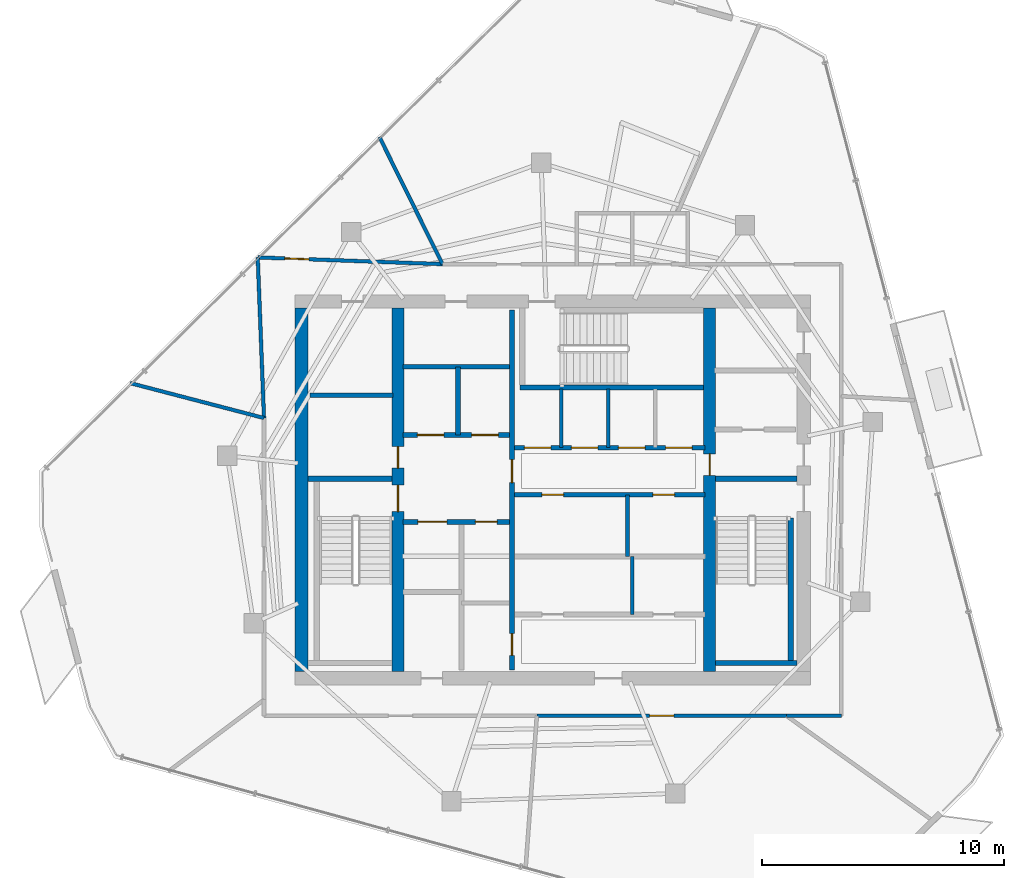
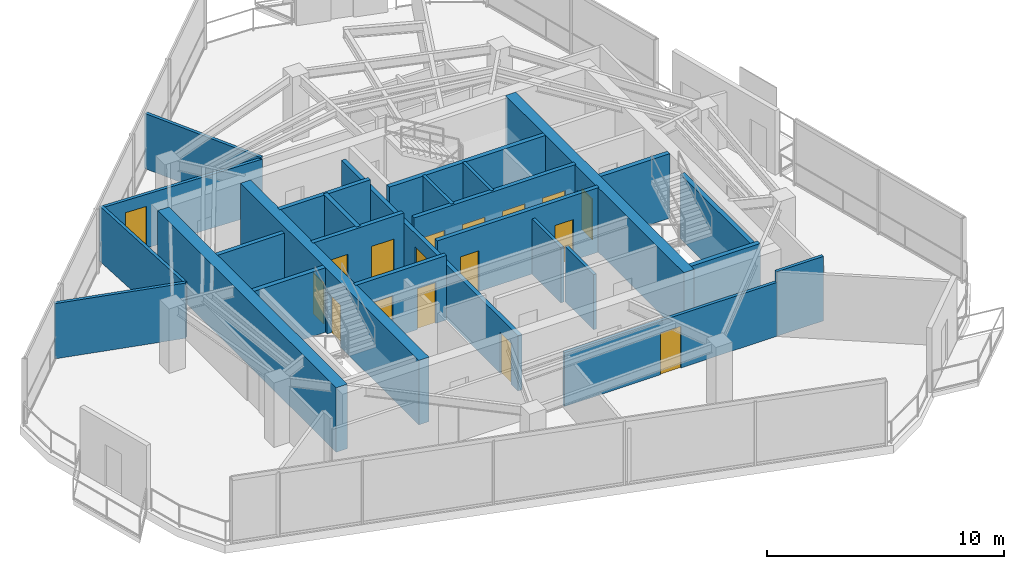
# One storey, part 15 of 19: 26 walls, 17 doors, 17 openings.
"""IFC4 building model written with IfcOpenShell, lengths in metres."""

from ifc_helpers import new_model, si_unit, direction, frame, frame_2d, origin, place, context, subcontext, project, spatial, rectangle, extrude, material, layer, layer_set, type_object, element, fill, save


model = new_model("IFC4")

# Units and contexts
model_context = context("Model", 3, precision=1e-05, world=origin(), true_north=direction((0.0, 1.0)))
body_context = subcontext(model_context, "Body", "Model", "MODEL_VIEW")
ifc_project = project(units=[si_unit("LENGTHUNIT", "METRE"), si_unit("AREAUNIT", "SQUARE_METRE"), si_unit("VOLUMEUNIT", "CUBIC_METRE"), si_unit("PLANEANGLEUNIT", "RADIAN"), si_unit("MASSUNIT", "GRAM", prefix="KILO")], contexts=[model_context])

# Site, building, storey
site_placement = place(None, origin())
site = spatial("IfcSite", under=ifc_project, at=site_placement, CompositionType="ELEMENT")
building_placement = place(site_placement, origin())
building = spatial("IfcBuilding", under=site, at=building_placement, Name="Qarnah Convention Tower", CompositionType="ELEMENT")
storey_placement = place(building_placement, frame((0.0, 0.0, 235.5)))
storey = spatial("IfcBuildingStorey", under=building, at=storey_placement, Name="L63", CompositionType="ELEMENT", Elevation=235.5)

# Wall
ifc_material_1 = material(Name="Concrete C60/75", Category="concrete")
ifc_layer_1 = layer(ifc_material_1, 0.550048828125)
ifc_layer_set_1 = layer_set([ifc_layer_1], Name="Concrete C60/75")
wall_type_1 = type_object("IfcWallType", Name="WL-CORE-550", PredefinedType="SHEAR", material=ifc_layer_set_1)
wall_1_placement = place(storey_placement, frame((26.800048828125, 18.875, 0.0), z_axis=(0.0, 0.0, 1.0), x_axis=(0.0, 1.0, 0.0)))
element("IfcWall", 1, at=wall_1_placement, inside=storey, type_object=wall_type_1, Name="L63 core west shear wall", PredefinedType="SHEAR", context=body_context, shape_type="SweptSolid", body=[
    extrude(rectangle(XDim=15.050048828125, YDim=0.550048828125, at=frame_2d((7.52490234375, 0.0))), origin(), (0.0, 0.0, 1.0), 3.320068359375),
])

# Wall, openings, doors
ifc_layer_2 = layer(ifc_material_1, 0.5)
ifc_layer_set_2 = layer_set([ifc_layer_2], Name="Concrete C60/75")
wall_type_2 = type_object("IfcWallType", Name="WL-CORE-INT-400", PredefinedType="SHEAR", material=ifc_layer_set_2)
wall_2_placement = place(storey_placement, frame((30.800048828125, 18.875, 0.0), z_axis=(0.0, 0.0, 1.0), x_axis=(0.0, 1.0, 0.0)))
wall_2 = element("IfcWall", 2, at=wall_2_placement, inside=storey, type_object=wall_type_2, Name="L63 core west spine shear wall", PredefinedType="SHEAR", context=body_context, shape_type="SweptSolid", body=[
    extrude(rectangle(XDim=15.050048828125, YDim=0.5, at=frame_2d((7.52490234375, 0.0))), origin(), (0.0, 0.0, 1.0), 3.320068359375),
])
opening_1_placement = place(wall_2_placement, frame((6.625, 0.0, 0.0)))
opening_1 = element("IfcOpeningElement", 3, at=opening_1_placement, cuts=wall_2, Name="Opening D-6301", PredefinedType="OPENING", context=body_context, shape_type="SweptSolid", body=[
    extrude(rectangle(XDim=1.10009765625, YDim=2.14990234375, at=frame_2d((0.550048828125, 1.074951171875))), frame((0.0, 0.260009765625, 0.0), z_axis=(0.0, -1.0, 0.0), x_axis=(1.0, 0.0, 0.0)), (0.0, 0.0, 1.0), 0.52001953125),
])
opening_2_placement = place(wall_2_placement, frame((8.425048828125, 0.0, 0.0)))
opening_2 = element("IfcOpeningElement", 4, at=opening_2_placement, cuts=wall_2, Name="Opening D-6308", PredefinedType="OPENING", context=body_context, shape_type="SweptSolid", body=[
    extrude(rectangle(XDim=0.89990234375, YDim=2.10009765625, at=frame_2d((0.449951171875, 1.050048828125))), frame((0.0, 0.260009765625, 0.0), z_axis=(0.0, -1.0, 0.0), x_axis=(1.0, 0.0, 0.0)), (0.0, 0.0, 1.0), 0.52001953125),
])
ifc_material_2 = material(Name="Structural steel S355JR", Category="steel")
door_type_1 = type_object("IfcDoorType", Name="DT-RISER-900", OperationType="NOTDEFINED", PredefinedType="DOOR", material=ifc_material_2)
door_1_placement = place(opening_2_placement, origin())
door_1 = element("IfcDoor", 5, at=door_1_placement, inside=storey, type_object=door_type_1, Name="Door D-6308", OperationType="SINGLE_SWING_LEFT", OverallHeight=2.10009765625, OverallWidth=0.89990234375, PredefinedType="DOOR", context=body_context, shape_type="SweptSolid", body=[
    extrude(rectangle(XDim=0.89990234375, YDim=2.10009765625, at=frame_2d((0.449951171875, 1.050048828125))), frame((0.0, 0.02490234375, 0.0), z_axis=(0.0, -1.0, 0.0), x_axis=(1.0, 0.0, 0.0)), (0.0, 0.0, 1.0), 0.050048828125),
])
fill(opening_2, door_1)
door_type_2 = type_object("IfcDoorType", Name="DT-STAIR-1100", OperationType="NOTDEFINED", PredefinedType="DOOR", material=ifc_material_2)
door_2_placement = place(opening_1_placement, origin())
door_2 = element("IfcDoor", 6, at=door_2_placement, inside=storey, type_object=door_type_2, Name="Door D-6301", OperationType="SINGLE_SWING_RIGHT", OverallHeight=2.14990234375, OverallWidth=1.10009765625, PredefinedType="DOOR", context=body_context, shape_type="SweptSolid", body=[
    extrude(rectangle(XDim=1.10009765625, YDim=2.14990234375, at=frame_2d((0.550048828125, 1.074951171875))), frame((0.0, 0.02490234375, 0.0), z_axis=(0.0, -1.0, 0.0), x_axis=(1.0, 0.0, 0.0)), (0.0, 0.0, 1.0), 0.050048828125),
])
fill(opening_1, door_2)

# Wall, opening, door
wall_3_placement = place(storey_placement, frame((43.699951171875, 18.875, 0.0), z_axis=(0.0, 0.0, 1.0), x_axis=(0.0, 1.0, 0.0)))
wall_3 = element("IfcWall", 7, at=wall_3_placement, inside=storey, type_object=wall_type_2, Name="L63 core east spine shear wall", PredefinedType="SHEAR", context=body_context, shape_type="SweptSolid", body=[
    extrude(rectangle(XDim=15.050048828125, YDim=0.5, at=frame_2d((7.52490234375, 0.0))), origin(), (0.0, 0.0, 1.0), 3.320068359375),
])
opening_3_placement = place(wall_3_placement, frame((8.125, 0.0, 0.0)))
opening_3 = element("IfcOpeningElement", 8, at=opening_3_placement, cuts=wall_3, Name="Opening D-6305", PredefinedType="OPENING", context=body_context, shape_type="SweptSolid", body=[
    extrude(rectangle(XDim=0.89990234375, YDim=2.10009765625, at=frame_2d((0.449951171875, 1.050048828125))), frame((0.0, 0.260009765625, 0.0), z_axis=(0.0, -1.0, 0.0), x_axis=(1.0, 0.0, 0.0)), (0.0, 0.0, 1.0), 0.52001953125),
])
door_3_placement = place(opening_3_placement, origin())
door_3 = element("IfcDoor", 9, at=door_3_placement, inside=storey, type_object=door_type_1, Name="Door D-6305", OperationType="SINGLE_SWING_RIGHT", OverallHeight=2.10009765625, OverallWidth=0.89990234375, PredefinedType="DOOR", context=body_context, shape_type="SweptSolid", body=[
    extrude(rectangle(XDim=0.89990234375, YDim=2.10009765625, at=frame_2d((0.449951171875, 1.050048828125))), frame((0.0, 0.02490234375, 0.0), z_axis=(0.0, -1.0, 0.0), x_axis=(1.0, 0.0, 0.0)), (0.0, 0.0, 1.0), 0.050048828125),
])
fill(opening_3, door_3)

# Wall
ifc_material_3 = material(Name="Concrete C45/55", Category="concrete")
ifc_layer_3 = layer(ifc_material_3, 0.199951171875)
ifc_layer_set_3 = layer_set([ifc_layer_3], Name="Concrete C45/55")
wall_type_3 = type_object("IfcWallType", Name="WL-CORE-PART-200", PredefinedType="SOLIDWALL", material=ifc_layer_set_3)
wall_4_placement = place(storey_placement, frame((27.14990234375, 30.320068359375, 0.0), z_axis=(0.0, 0.0, 1.0), x_axis=(1.0, 0.0, 0.0)))
element("IfcWall", 10, at=wall_4_placement, inside=storey, type_object=wall_type_3, Name="L63 interior wall IW-L63-ELRN", PredefinedType="SOLIDWALL", context=body_context, shape_type="SweptSolid", body=[
    extrude(rectangle(XDim=3.4501953125, YDim=0.199951171875, at=frame_2d((1.72509765625, 0.0))), origin(), (0.0, 0.0, 1.0), 2.992919921875),
])

# Wall, openings, doors
wall_5_placement = place(storey_placement, frame((35.52001953125, 18.949951171875, 0.0), z_axis=(0.0, 0.0, 1.0), x_axis=(0.0, 1.0, 0.0)))
wall_5 = element("IfcWall", 11, at=wall_5_placement, inside=storey, type_object=wall_type_3, Name="L63 interior wall IW-L63-CSP", PredefinedType="SOLIDWALL", context=body_context, shape_type="SweptSolid", body=[
    extrude(rectangle(XDim=14.900146484375, YDim=0.199951171875, at=frame_2d((7.4501953125, 0.0))), origin(), (0.0, 0.0, 1.0), 2.841064453125),
])
opening_4_placement = place(wall_5_placement, frame((7.7548828125, 0.0, 0.0)))
opening_4 = element("IfcOpeningElement", 12, at=opening_4_placement, cuts=wall_5, Name="Opening D-6304", PredefinedType="OPENING", context=body_context, shape_type="SweptSolid", body=[
    extrude(rectangle(XDim=0.949951171875, YDim=2.14990234375, at=frame_2d((0.47509765625, 1.074951171875))), frame((0.0, 0.10986328125, 0.0), z_axis=(0.0, -1.0, 0.0), x_axis=(1.0, 0.0, 0.0)), (0.0, 0.0, 1.0), 0.219970703125),
])
opening_5_placement = place(wall_5_placement, frame((0.60009765625, 0.0, 0.0)))
opening_5 = element("IfcOpeningElement", 13, at=opening_5_placement, cuts=wall_5, Name="Opening D-6314", PredefinedType="OPENING", context=body_context, shape_type="SweptSolid", body=[
    extrude(rectangle(XDim=0.89990234375, YDim=2.10009765625, at=frame_2d((0.449951171875, 1.050048828125))), frame((0.0, 0.10986328125, 0.0), z_axis=(0.0, -1.0, 0.0), x_axis=(1.0, 0.0, 0.0)), (0.0, 0.0, 1.0), 0.219970703125),
])
ifc_material_4 = material(Name="Oak timber veneer", Category="wood")
door_type_3 = type_object("IfcDoorType", Name="DT-HOTEL-950", OperationType="NOTDEFINED", PredefinedType="DOOR", material=ifc_material_4)
door_4_placement = place(opening_4_placement, origin())
door_4 = element("IfcDoor", 14, at=door_4_placement, inside=storey, type_object=door_type_3, Name="Door D-6304", OperationType="SINGLE_SWING_LEFT", OverallHeight=2.14990234375, OverallWidth=0.949951171875, PredefinedType="DOOR", context=body_context, shape_type="SweptSolid", body=[
    extrude(rectangle(XDim=0.949951171875, YDim=2.14990234375, at=frame_2d((0.47509765625, 1.074951171875))), frame((0.0, 0.02490234375, 0.0), z_axis=(0.0, -1.0, 0.0), x_axis=(1.0, 0.0, 0.0)), (0.0, 0.0, 1.0), 0.050048828125),
])
fill(opening_4, door_4)
door_5_placement = place(opening_5_placement, origin())
door_5 = element("IfcDoor", 15, at=door_5_placement, inside=storey, type_object=door_type_1, Name="Door D-6314", OperationType="SINGLE_SWING_LEFT", OverallHeight=2.10009765625, OverallWidth=0.89990234375, PredefinedType="DOOR", context=body_context, shape_type="SweptSolid", body=[
    extrude(rectangle(XDim=0.89990234375, YDim=2.10009765625, at=frame_2d((0.449951171875, 1.050048828125))), frame((0.0, 0.02490234375, 0.0), z_axis=(0.0, -1.0, 0.0), x_axis=(1.0, 0.0, 0.0)), (0.0, 0.0, 1.0), 0.050048828125),
])
fill(opening_5, door_5)

wall_6_placement = place(storey_placement, frame((31.0, 28.679931640625, 0.0), z_axis=(0.0, 0.0, 1.0), x_axis=(1.0, 0.0, 0.0)))
wall_6 = element("IfcWall", 16, at=wall_6_placement, inside=storey, type_object=wall_type_3, Name="L63 interior wall IW-L63-FFLS", PredefinedType="SOLIDWALL", context=body_context, shape_type="SweptSolid", body=[
    extrude(rectangle(XDim=4.419921875, YDim=0.199951171875, at=frame_2d((2.2099609375, 0.0))), origin(), (0.0, 0.0, 1.0), 3.320068359375),
])
opening_6_placement = place(wall_6_placement, frame((0.60009765625, 0.0, 0.0)))
opening_6 = element("IfcOpeningElement", 17, at=opening_6_placement, cuts=wall_6, Name="Opening LD-6301", PredefinedType="OPENING", context=body_context, shape_type="SweptSolid", body=[
    extrude(rectangle(XDim=1.10009765625, YDim=2.14990234375, at=frame_2d((0.550048828125, 1.074951171875))), frame((0.0, 0.10986328125, 0.0), z_axis=(0.0, -1.0, 0.0), x_axis=(1.0, 0.0, 0.0)), (0.0, 0.0, 1.0), 0.219970703125),
])
opening_7_placement = place(wall_6_placement, frame((2.85009765625, 0.0, 0.0)))
opening_7 = element("IfcOpeningElement", 18, at=opening_7_placement, cuts=wall_6, Name="Opening LD-6302", PredefinedType="OPENING", context=body_context, shape_type="SweptSolid", body=[
    extrude(rectangle(XDim=1.10009765625, YDim=2.14990234375, at=frame_2d((0.550048828125, 1.074951171875))), frame((0.0, 0.10986328125, 0.0), z_axis=(0.0, -1.0, 0.0), x_axis=(1.0, 0.0, 0.0)), (0.0, 0.0, 1.0), 0.219970703125),
])
door_type_4 = type_object("IfcDoorType", Name="DT-LIFT-1100", OperationType="SLIDING_TO_LEFT", PredefinedType="DOOR", material=ifc_material_2)
door_6_placement = place(opening_6_placement, origin())
door_6 = element("IfcDoor", 19, at=door_6_placement, inside=storey, type_object=door_type_4, Name="Door LD-6301", OperationType="SLIDING_TO_LEFT", OverallHeight=2.14990234375, OverallWidth=1.10009765625, PredefinedType="DOOR", context=body_context, shape_type="SweptSolid", body=[
    extrude(rectangle(XDim=1.10009765625, YDim=2.14990234375, at=frame_2d((0.550048828125, 1.074951171875))), frame((0.0, 0.02490234375, 0.0), z_axis=(0.0, -1.0, 0.0), x_axis=(1.0, 0.0, 0.0)), (0.0, 0.0, 1.0), 0.050048828125),
])
fill(opening_6, door_6)
door_7_placement = place(opening_7_placement, origin())
door_7 = element("IfcDoor", 20, at=door_7_placement, inside=storey, type_object=door_type_4, Name="Door LD-6302", OperationType="SLIDING_TO_LEFT", OverallHeight=2.14990234375, OverallWidth=1.10009765625, PredefinedType="DOOR", context=body_context, shape_type="SweptSolid", body=[
    extrude(rectangle(XDim=1.10009765625, YDim=2.14990234375, at=frame_2d((0.550048828125, 1.074951171875))), frame((0.0, 0.02490234375, 0.0), z_axis=(0.0, -1.0, 0.0), x_axis=(1.0, 0.0, 0.0)), (0.0, 0.0, 1.0), 0.050048828125),
])
fill(opening_7, door_7)

# Walls
wall_7_placement = place(storey_placement, frame((31.0, 31.5, 0.0), z_axis=(0.0, 0.0, 1.0), x_axis=(1.0, 0.0, 0.0)))
element("IfcWall", 21, at=wall_7_placement, inside=storey, type_object=wall_type_3, Name="L63 interior wall IW-L63-FFLN", PredefinedType="SOLIDWALL", context=body_context, shape_type="SweptSolid", body=[
    extrude(rectangle(XDim=4.419921875, YDim=0.199951171875, at=frame_2d((2.2099609375, 0.0))), origin(), (0.0, 0.0, 1.0), 3.320068359375),
])
wall_8_placement = place(storey_placement, frame((33.280029296875, 28.679931640625, 0.0), z_axis=(0.0, 0.0, 1.0), x_axis=(0.0, 1.0, 0.0)))
element("IfcWall", 22, at=wall_8_placement, inside=storey, type_object=wall_type_3, Name="L63 interior wall IW-L63-FFLM", PredefinedType="SOLIDWALL", context=body_context, shape_type="SweptSolid", body=[
    extrude(rectangle(XDim=2.820068359375, YDim=0.199951171875, at=frame_2d((1.41015625, 0.0))), origin(), (0.0, 0.0, 1.0), 3.320068359375),
])

# Wall, openings, doors
wall_9_placement = place(storey_placement, frame((31.0, 25.080078125, 0.0), z_axis=(0.0, 0.0, 1.0), x_axis=(1.0, 0.0, 0.0)))
wall_9 = element("IfcWall", 23, at=wall_9_placement, inside=storey, type_object=wall_type_3, Name="L63 interior wall IW-L63-FFLBS", PredefinedType="SOLIDWALL", context=body_context, shape_type="SweptSolid", body=[
    extrude(rectangle(XDim=4.419921875, YDim=0.199951171875, at=frame_2d((2.2099609375, 0.0))), origin(), (0.0, 0.0, 1.0), 3.320068359375),
])
opening_8_placement = place(wall_9_placement, frame((3.0, 0.0, 0.0)))
opening_8 = element("IfcOpeningElement", 24, at=opening_8_placement, cuts=wall_9, Name="Opening D-6315", PredefinedType="OPENING", context=body_context, shape_type="SweptSolid", body=[
    extrude(rectangle(XDim=0.89990234375, YDim=2.10009765625, at=frame_2d((0.449951171875, 1.050048828125))), frame((0.0, 0.10986328125, 0.0), z_axis=(0.0, -1.0, 0.0), x_axis=(1.0, 0.0, 0.0)), (0.0, 0.0, 1.0), 0.219970703125),
])
opening_9_placement = place(wall_9_placement, frame((0.6201171875, 0.0, 0.0)))
opening_9 = element("IfcOpeningElement", 25, at=opening_9_placement, cuts=wall_9, Name="Opening LD-6303", PredefinedType="OPENING", context=body_context, shape_type="SweptSolid", body=[
    extrude(rectangle(XDim=1.199951171875, YDim=2.14990234375, at=frame_2d((0.60009765625, 1.074951171875))), frame((0.0, 0.10986328125, 0.0), z_axis=(0.0, -1.0, 0.0), x_axis=(1.0, 0.0, 0.0)), (0.0, 0.0, 1.0), 0.219970703125),
])
door_type_5 = type_object("IfcDoorType", Name="DT-LIFT-1200", OperationType="SLIDING_TO_LEFT", PredefinedType="DOOR", material=ifc_material_2)
door_8_placement = place(opening_9_placement, origin())
door_8 = element("IfcDoor", 26, at=door_8_placement, inside=storey, type_object=door_type_5, Name="Door LD-6303", OperationType="SLIDING_TO_LEFT", OverallHeight=2.14990234375, OverallWidth=1.199951171875, PredefinedType="DOOR", context=body_context, shape_type="SweptSolid", body=[
    extrude(rectangle(XDim=1.199951171875, YDim=2.14990234375, at=frame_2d((0.60009765625, 1.074951171875))), frame((0.0, 0.02490234375, 0.0), z_axis=(0.0, -1.0, 0.0), x_axis=(1.0, 0.0, 0.0)), (0.0, 0.0, 1.0), 0.050048828125),
])
fill(opening_9, door_8)
door_9_placement = place(opening_8_placement, origin())
door_9 = element("IfcDoor", 27, at=door_9_placement, inside=storey, type_object=door_type_1, Name="Door D-6315", OperationType="SINGLE_SWING_RIGHT", OverallHeight=2.10009765625, OverallWidth=0.89990234375, PredefinedType="DOOR", context=body_context, shape_type="SweptSolid", body=[
    extrude(rectangle(XDim=0.89990234375, YDim=2.10009765625, at=frame_2d((0.449951171875, 1.050048828125))), frame((0.0, 0.02490234375, 0.0), z_axis=(0.0, -1.0, 0.0), x_axis=(1.0, 0.0, 0.0)), (0.0, 0.0, 1.0), 0.050048828125),
])
fill(opening_8, door_9)

wall_10_placement = place(storey_placement, frame((35.6201171875, 28.14990234375, 0.0), z_axis=(0.0, 0.0, 1.0), x_axis=(1.0, 0.0, 0.0)))
wall_10 = element("IfcWall", 28, at=wall_10_placement, inside=storey, type_object=wall_type_3, Name="L63 interior wall IW-L63-PHS", PredefinedType="SOLIDWALL", context=body_context, shape_type="SweptSolid", body=[
    extrude(rectangle(XDim=7.8798828125, YDim=0.199951171875, at=frame_2d((3.93994140625, 0.0))), origin(), (0.0, 0.0, 1.0), 3.320068359375),
])
opening_10_placement = place(wall_10_placement, frame((0.405029296875, 0.0, 0.0)))
opening_10 = element("IfcOpeningElement", 29, at=opening_10_placement, cuts=wall_10, Name="Opening LD-6304", PredefinedType="OPENING", context=body_context, shape_type="SweptSolid", body=[
    extrude(rectangle(XDim=1.10009765625, YDim=2.14990234375, at=frame_2d((0.550048828125, 1.074951171875))), frame((0.0, 0.10986328125, 0.0), z_axis=(0.0, -1.0, 0.0), x_axis=(1.0, 0.0, 0.0)), (0.0, 0.0, 1.0), 0.219970703125),
])
opening_11_placement = place(wall_10_placement, frame((2.35498046875, 0.0, 0.0)))
opening_11 = element("IfcOpeningElement", 30, at=opening_11_placement, cuts=wall_10, Name="Opening LD-6305", PredefinedType="OPENING", context=body_context, shape_type="SweptSolid", body=[
    extrude(rectangle(XDim=1.10009765625, YDim=2.14990234375, at=frame_2d((0.550048828125, 1.074951171875))), frame((0.0, 0.10986328125, 0.0), z_axis=(0.0, -1.0, 0.0), x_axis=(1.0, 0.0, 0.0)), (0.0, 0.0, 1.0), 0.219970703125),
])
opening_12_placement = place(wall_10_placement, frame((4.304931640625, 0.0, 0.0)))
opening_12 = element("IfcOpeningElement", 31, at=opening_12_placement, cuts=wall_10, Name="Opening LD-6306", PredefinedType="OPENING", context=body_context, shape_type="SweptSolid", body=[
    extrude(rectangle(XDim=1.10009765625, YDim=2.14990234375, at=frame_2d((0.550048828125, 1.074951171875))), frame((0.0, 0.10986328125, 0.0), z_axis=(0.0, -1.0, 0.0), x_axis=(1.0, 0.0, 0.0)), (0.0, 0.0, 1.0), 0.219970703125),
])
opening_13_placement = place(wall_10_placement, frame((6.2548828125, 0.0, 0.0)))
opening_13 = element("IfcOpeningElement", 32, at=opening_13_placement, cuts=wall_10, Name="Opening LD-6307", PredefinedType="OPENING", context=body_context, shape_type="SweptSolid", body=[
    extrude(rectangle(XDim=1.10009765625, YDim=2.14990234375, at=frame_2d((0.550048828125, 1.074951171875))), frame((0.0, 0.10986328125, 0.0), z_axis=(0.0, -1.0, 0.0), x_axis=(1.0, 0.0, 0.0)), (0.0, 0.0, 1.0), 0.219970703125),
])
door_10_placement = place(opening_10_placement, origin())
door_10 = element("IfcDoor", 33, at=door_10_placement, inside=storey, type_object=door_type_4, Name="Door LD-6304", OperationType="SLIDING_TO_LEFT", OverallHeight=2.14990234375, OverallWidth=1.10009765625, PredefinedType="DOOR", context=body_context, shape_type="SweptSolid", body=[
    extrude(rectangle(XDim=1.10009765625, YDim=2.14990234375, at=frame_2d((0.550048828125, 1.074951171875))), frame((0.0, 0.02490234375, 0.0), z_axis=(0.0, -1.0, 0.0), x_axis=(1.0, 0.0, 0.0)), (0.0, 0.0, 1.0), 0.050048828125),
])
fill(opening_10, door_10)
door_11_placement = place(opening_11_placement, origin())
door_11 = element("IfcDoor", 34, at=door_11_placement, inside=storey, type_object=door_type_4, Name="Door LD-6305", OperationType="SLIDING_TO_LEFT", OverallHeight=2.14990234375, OverallWidth=1.10009765625, PredefinedType="DOOR", context=body_context, shape_type="SweptSolid", body=[
    extrude(rectangle(XDim=1.10009765625, YDim=2.14990234375, at=frame_2d((0.550048828125, 1.074951171875))), frame((0.0, 0.02490234375, 0.0), z_axis=(0.0, -1.0, 0.0), x_axis=(1.0, 0.0, 0.0)), (0.0, 0.0, 1.0), 0.050048828125),
])
fill(opening_11, door_11)
door_12_placement = place(opening_12_placement, origin())
door_12 = element("IfcDoor", 35, at=door_12_placement, inside=storey, type_object=door_type_4, Name="Door LD-6306", OperationType="SLIDING_TO_LEFT", OverallHeight=2.14990234375, OverallWidth=1.10009765625, PredefinedType="DOOR", context=body_context, shape_type="SweptSolid", body=[
    extrude(rectangle(XDim=1.10009765625, YDim=2.14990234375, at=frame_2d((0.550048828125, 1.074951171875))), frame((0.0, 0.02490234375, 0.0), z_axis=(0.0, -1.0, 0.0), x_axis=(1.0, 0.0, 0.0)), (0.0, 0.0, 1.0), 0.050048828125),
])
fill(opening_12, door_12)
door_13_placement = place(opening_13_placement, origin())
door_13 = element("IfcDoor", 36, at=door_13_placement, inside=storey, type_object=door_type_4, Name="Door LD-6307", OperationType="SLIDING_TO_LEFT", OverallHeight=2.14990234375, OverallWidth=1.10009765625, PredefinedType="DOOR", context=body_context, shape_type="SweptSolid", body=[
    extrude(rectangle(XDim=1.10009765625, YDim=2.14990234375, at=frame_2d((0.550048828125, 1.074951171875))), frame((0.0, 0.02490234375, 0.0), z_axis=(0.0, -1.0, 0.0), x_axis=(1.0, 0.0, 0.0)), (0.0, 0.0, 1.0), 0.050048828125),
])
fill(opening_13, door_13)

wall_11_placement = place(storey_placement, frame((35.6201171875, 26.199951171875, 0.0), z_axis=(0.0, 0.0, 1.0), x_axis=(1.0, 0.0, 0.0)))
wall_11 = element("IfcWall", 37, at=wall_11_placement, inside=storey, type_object=wall_type_3, Name="L63 interior wall IW-L63-PMN", PredefinedType="SOLIDWALL", context=body_context, shape_type="SweptSolid", body=[
    extrude(rectangle(XDim=7.8798828125, YDim=0.199951171875, at=frame_2d((3.93994140625, 0.0))), origin(), (0.0, 0.0, 1.0), 3.320068359375),
])
opening_14_placement = place(wall_11_placement, frame((1.1298828125, 0.0, 0.0)))
opening_14 = element("IfcOpeningElement", 38, at=opening_14_placement, cuts=wall_11, Name="Opening D-6318", PredefinedType="OPENING", context=body_context, shape_type="SweptSolid", body=[
    extrude(rectangle(XDim=0.89990234375, YDim=2.10009765625, at=frame_2d((0.449951171875, 1.050048828125))), frame((0.0, 0.10986328125, 0.0), z_axis=(0.0, -1.0, 0.0), x_axis=(1.0, 0.0, 0.0)), (0.0, 0.0, 1.0), 0.219970703125),
])
opening_15_placement = place(wall_11_placement, frame((5.72998046875, 0.0, 0.0)))
opening_15 = element("IfcOpeningElement", 39, at=opening_15_placement, cuts=wall_11, Name="Opening D-6319", PredefinedType="OPENING", context=body_context, shape_type="SweptSolid", body=[
    extrude(rectangle(XDim=0.89990234375, YDim=2.10009765625, at=frame_2d((0.449951171875, 1.050048828125))), frame((0.0, 0.10986328125, 0.0), z_axis=(0.0, -1.0, 0.0), x_axis=(1.0, 0.0, 0.0)), (0.0, 0.0, 1.0), 0.219970703125),
])
door_14_placement = place(opening_14_placement, origin())
door_14 = element("IfcDoor", 40, at=door_14_placement, inside=storey, type_object=door_type_1, Name="Door D-6318", OperationType="SINGLE_SWING_LEFT", OverallHeight=2.10009765625, OverallWidth=0.89990234375, PredefinedType="DOOR", context=body_context, shape_type="SweptSolid", body=[
    extrude(rectangle(XDim=0.89990234375, YDim=2.10009765625, at=frame_2d((0.449951171875, 1.050048828125))), frame((0.0, 0.02490234375, 0.0), z_axis=(0.0, -1.0, 0.0), x_axis=(1.0, 0.0, 0.0)), (0.0, 0.0, 1.0), 0.050048828125),
])
fill(opening_14, door_14)
door_15_placement = place(opening_15_placement, origin())
door_15 = element("IfcDoor", 41, at=door_15_placement, inside=storey, type_object=door_type_1, Name="Door D-6319", OperationType="SINGLE_SWING_RIGHT", OverallHeight=2.10009765625, OverallWidth=0.89990234375, PredefinedType="DOOR", context=body_context, shape_type="SweptSolid", body=[
    extrude(rectangle(XDim=0.89990234375, YDim=2.10009765625, at=frame_2d((0.449951171875, 1.050048828125))), frame((0.0, 0.02490234375, 0.0), z_axis=(0.0, -1.0, 0.0), x_axis=(1.0, 0.0, 0.0)), (0.0, 0.0, 1.0), 0.050048828125),
])
fill(opening_15, door_15)

# Walls
ifc_layer_4 = layer(ifc_material_1, 0.219970703125)
ifc_layer_set_4 = layer_set([ifc_layer_4], Name="Concrete C60/75")
wall_type_4 = type_object("IfcWallType", Name="WL-CORE-STAIR-220", PredefinedType="SHEAR", material=ifc_layer_set_4)
wall_12_placement = place(storey_placement, frame((27.074951171875, 26.860107421875, 0.0), z_axis=(0.0, 0.0, 1.0), x_axis=(1.0, 0.0, 0.0)))
element("IfcWall", 42, at=wall_12_placement, inside=storey, type_object=wall_type_4, Name="L63 stair shaft shear wall SW-L63-ST1N", PredefinedType="SHEAR", context=body_context, shape_type="SweptSolid", body=[
    extrude(rectangle(XDim=3.47509765625, YDim=0.219970703125, at=frame_2d((1.737548828125, 0.0))), origin(), (0.0, 0.0, 1.0), 3.320068359375),
])
wall_13_placement = place(storey_placement, frame((43.949951171875, 26.860107421875, 0.0), z_axis=(0.0, 0.0, 1.0), x_axis=(1.0, 0.0, 0.0)))
element("IfcWall", 43, at=wall_13_placement, inside=storey, type_object=wall_type_4, Name="L63 stair shaft shear wall SW-L63-ST2N", PredefinedType="SHEAR", context=body_context, shape_type="SweptSolid", body=[
    extrude(rectangle(XDim=3.375, YDim=0.219970703125, at=frame_2d((1.6875, 0.0))), origin(), (0.0, 0.0, 1.0), 3.320068359375),
])
wall_14_placement = place(storey_placement, frame((47.06005859375, 19.35009765625, 0.0), z_axis=(0.0, 0.0, 1.0), x_axis=(0.0, 1.0, 0.0)))
element("IfcWall", 44, at=wall_14_placement, inside=storey, type_object=wall_type_4, Name="L63 stair shaft shear wall SW-L63-ST2E", PredefinedType="SHEAR", context=body_context, shape_type="SweptSolid", body=[
    extrude(rectangle(XDim=5.89990234375, YDim=0.219970703125, at=frame_2d((2.949951171875, 0.0))), origin(), (0.0, 0.0, 1.0), 3.320068359375),
])
wall_15_placement = place(storey_placement, frame((43.949951171875, 19.239990234375, 0.0), z_axis=(0.0, 0.0, 1.0), x_axis=(1.0, 0.0, 0.0)))
element("IfcWall", 45, at=wall_15_placement, inside=storey, type_object=wall_type_4, Name="L63 stair shaft shear wall SW-L63-ST2S", PredefinedType="SHEAR", context=body_context, shape_type="SweptSolid", body=[
    extrude(rectangle(XDim=3.375, YDim=0.219970703125, at=frame_2d((1.6875, 0.0))), origin(), (0.0, 0.0, 1.0), 3.320068359375),
])
wall_16_placement = place(storey_placement, frame((35.840087890625, 30.639892578125, 0.0), z_axis=(0.0, 0.0, 1.0), x_axis=(1.0, 0.0, 0.0)))
element("IfcWall", 46, at=wall_16_placement, inside=storey, type_object=wall_type_4, Name="L63 stair shaft shear wall SW-L63-ST3S", PredefinedType="SHEAR", context=body_context, shape_type="SweptSolid", body=[
    extrude(rectangle(XDim=7.60986328125, YDim=0.219970703125, at=frame_2d((3.804931640625, 0.0))), origin(), (0.0, 0.0, 1.0), 3.320068359375),
])
ifc_material_5 = material(Name="Gypsum partition board")
ifc_layer_5 = layer(ifc_material_5, 0.14990234375)
ifc_layer_set_5 = layer_set([ifc_layer_5], Name="Gypsum partition board")
wall_type_5 = type_object("IfcWallType", Name="WL-SUITE-150", PredefinedType="PARTITIONING", material=ifc_layer_set_5)
for number, where, z_axis, x_axis, name in (
    (47, (37.550048828125, 28.14990234375, 0.0), (0.0, 0.0, 1.0), (0.0, 1.0, 0.0), "L63 interior wall IW-L63-PHD1"),
    (48, (39.5, 28.14990234375, 0.0), (0.0, 0.0, 1.0), (0.0, 1.0, 0.0), "L63 interior wall IW-L63-PHD2"),
):
    element("IfcWall", number, at=place(storey_placement, frame(where, z_axis=z_axis, x_axis=x_axis)), inside=storey, type_object=wall_type_5, Name=name, PredefinedType="PARTITIONING", context=body_context, shape_type="SweptSolid", body=[
        extrude(rectangle(XDim=2.43017578125, YDim=0.14990234375, at=frame_2d((1.215087890625, 0.0))), origin(), (0.0, 0.0, 1.0), 3.320068359375),
    ])
wall_17_placement = place(storey_placement, frame((40.300048828125, 23.64990234375, 0.0), z_axis=(0.0, 0.0, 1.0), x_axis=(0.0, 1.0, 0.0)))
element("IfcWall", 49, at=wall_17_placement, inside=storey, type_object=wall_type_5, Name="L63 interior wall IW-L63-PMFD", PredefinedType="PARTITIONING", context=body_context, shape_type="SweptSolid", body=[
    extrude(rectangle(XDim=2.550048828125, YDim=0.14990234375, at=frame_2d((1.27490234375, 0.0))), origin(), (0.0, 0.0, 1.0), 2.841064453125),
])
wall_18_placement = place(storey_placement, frame((40.5, 21.25, 0.0), z_axis=(0.0, 0.0, 1.0), x_axis=(0.0, 1.0, 0.0)))
element("IfcWall", 50, at=wall_18_placement, inside=storey, type_object=wall_type_5, Name="L63 interior wall IW-L63-PLFD", PredefinedType="PARTITIONING", context=body_context, shape_type="SweptSolid", body=[
    extrude(rectangle(XDim=2.39990234375, YDim=0.14990234375, at=frame_2d((1.199951171875, 0.0))), origin(), (0.0, 0.0, 1.0), 2.841064453125),
])
wall_19_placement = place(storey_placement, frame((30.031005859375, 41.010986328125, 0.0), z_axis=(0.0, 0.0, 1.0), x_axis=(0.44426768213, -0.895894093414, 0.0)))
element("IfcWall", 51, at=wall_19_placement, inside=storey, type_object=wall_type_5, Name="L63 interior wall IW-L63-R-12", PredefinedType="PARTITIONING", context=body_context, shape_type="SweptSolid", body=[
    extrude(rectangle(XDim=5.872314453125, YDim=0.14990234375, at=frame_2d((2.93603515625, 0.0))), origin(), (0.0, 0.0, 1.0), 2.844970703125),
])
wall_20_placement = place(storey_placement, frame((19.7060546875, 30.825927734375, 0.0), z_axis=(0.0, 0.0, 1.0), x_axis=(0.967584232059, -0.252548517853, 0.0)))
element("IfcWall", 52, at=wall_20_placement, inside=storey, type_object=wall_type_5, Name="L63 interior wall IW-L63-R-14", PredefinedType="PARTITIONING", context=body_context, shape_type="SweptSolid", body=[
    extrude(rectangle(XDim=5.729736328125, YDim=0.14990234375, at=frame_2d((2.86474609375, 0.0))), origin(), (0.0, 0.0, 1.0), 2.844970703125),
])
wall_21_placement = place(storey_placement, frame((25.25, 29.37890625, 0.0), z_axis=(0.0, 0.0, 1.0), x_axis=(-0.039074230616, 0.99923631064, 0.0)))
element("IfcWall", 53, at=wall_21_placement, inside=storey, type_object=wall_type_5, Name="L63 interior wall IW-L63-R-15", PredefinedType="PARTITIONING", context=body_context, shape_type="SweptSolid", body=[
    extrude(rectangle(XDim=6.654296875, YDim=0.14990234375, at=frame_2d((3.3271484375, 0.0))), origin(), (0.0, 0.0, 1.0), 2.844970703125),
])

# Wall, opening, door
wall_22_placement = place(storey_placement, frame((24.989990234375, 36.028076171875, 0.0), z_axis=(0.0, 0.0, 1.0), x_axis=(0.999339982204, -0.036326298581, 0.0)))
wall_22 = element("IfcWall", 54, at=wall_22_placement, inside=storey, type_object=wall_type_5, Name="L63 interior wall IW-L63-R-16", PredefinedType="PARTITIONING", context=body_context, shape_type="SweptSolid", body=[
    extrude(rectangle(XDim=7.655029296875, YDim=0.14990234375, at=frame_2d((3.82763671875, 0.0))), origin(), (0.0, 0.0, 1.0), 2.76904296875),
])
opening_16_placement = place(wall_22_placement, frame((1.1220703125, 0.0, 0.0)))
opening_16 = element("IfcOpeningElement", 55, at=opening_16_placement, cuts=wall_22, Name="Opening D-6324", PredefinedType="OPENING", context=body_context, shape_type="SweptSolid", body=[
    extrude(rectangle(XDim=1.0, YDim=2.14990234375, at=frame_2d((0.5, 1.074951171875))), frame((0.0, 0.0849609375, 0.0), z_axis=(0.0, -1.0, 0.0), x_axis=(1.0, 0.0, 0.0)), (0.0, 0.0, 1.0), 0.169921875),
])
door_type_6 = type_object("IfcDoorType", Name="DT-OFFICE-1000", OperationType="NOTDEFINED", PredefinedType="DOOR", material=ifc_material_4)
door_16_placement = place(opening_16_placement, origin())
door_16 = element("IfcDoor", 56, at=door_16_placement, inside=storey, type_object=door_type_6, Name="Door D-6324", OperationType="SINGLE_SWING_LEFT", OverallHeight=2.14990234375, OverallWidth=1.0, PredefinedType="DOOR", context=body_context, shape_type="SweptSolid", body=[
    extrude(rectangle(XDim=1.0, YDim=2.14990234375, at=frame_2d((0.5, 1.074951171875))), frame((0.0, 0.02490234375, 0.0), z_axis=(0.0, -1.0, 0.0), x_axis=(1.0, 0.0, 0.0)), (0.0, 0.0, 1.0), 0.050048828125),
])
fill(opening_16, door_16)

wall_23_placement = place(storey_placement, frame((46.882080078125, 17.050048828125, 0.0), z_axis=(0.0, 0.0, 1.0), x_axis=(-1.0, 0.0, 0.0)))
wall_23 = element("IfcWall", 57, at=wall_23_placement, inside=storey, type_object=wall_type_5, Name="L63 interior wall IW-L63-R-23", PredefinedType="PARTITIONING", context=body_context, shape_type="SweptSolid", body=[
    extrude(rectangle(XDim=10.336181640625, YDim=0.14990234375, at=frame_2d((5.16796875, 0.0))), origin(), (0.0, 0.0, 1.0), 2.76904296875),
])
opening_17_placement = place(wall_23_placement, frame((4.66796875, 0.0, 0.0)))
opening_17 = element("IfcOpeningElement", 58, at=opening_17_placement, cuts=wall_23, Name="Opening D-6327", PredefinedType="OPENING", context=body_context, shape_type="SweptSolid", body=[
    extrude(rectangle(XDim=1.0, YDim=2.14990234375, at=frame_2d((0.5, 1.074951171875))), frame((0.0, 0.0849609375, 0.0), z_axis=(0.0, -1.0, 0.0), x_axis=(1.0, 0.0, 0.0)), (0.0, 0.0, 1.0), 0.169921875),
])
door_17_placement = place(opening_17_placement, origin())
door_17 = element("IfcDoor", 59, at=door_17_placement, inside=storey, type_object=door_type_6, Name="Door D-6327", OperationType="SINGLE_SWING_RIGHT", OverallHeight=2.14990234375, OverallWidth=1.0, PredefinedType="DOOR", context=body_context, shape_type="SweptSolid", body=[
    extrude(rectangle(XDim=1.0, YDim=2.14990234375, at=frame_2d((0.5, 1.074951171875))), frame((0.0, 0.02490234375, 0.0), z_axis=(0.0, -1.0, 0.0), x_axis=(1.0, 0.0, 0.0)), (0.0, 0.0, 1.0), 0.050048828125),
])
fill(opening_17, door_17)

# Wall
wall_24_placement = place(storey_placement, frame((49.14990234375, 17.050048828125, 0.0), z_axis=(0.0, 0.0, 1.0), x_axis=(-1.0, 0.0, 0.0)))
element("IfcWall", 60, at=wall_24_placement, inside=storey, type_object=wall_type_5, Name="L63 interior wall IW-L63-R-25", PredefinedType="PARTITIONING", context=body_context, shape_type="SweptSolid", body=[
    extrude(rectangle(XDim=2.267822265625, YDim=0.14990234375, at=frame_2d((1.1337890625, 0.0))), origin(), (0.0, 0.0, 1.0), 3.320068359375),
])

save(model, "model.ifc")
